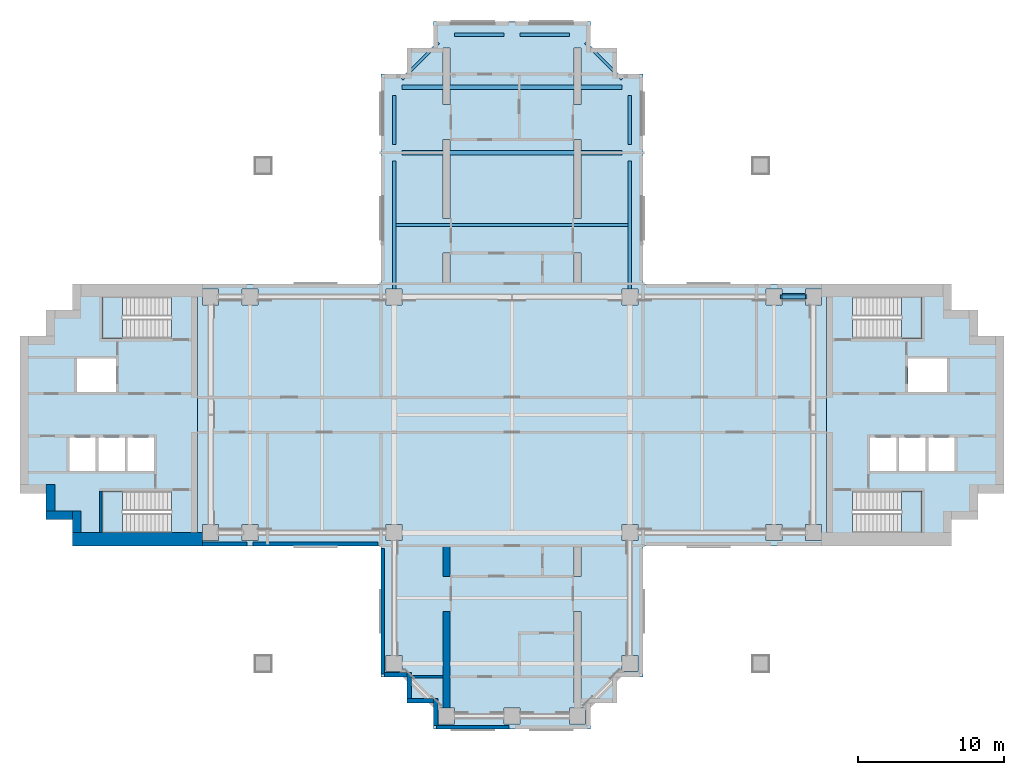
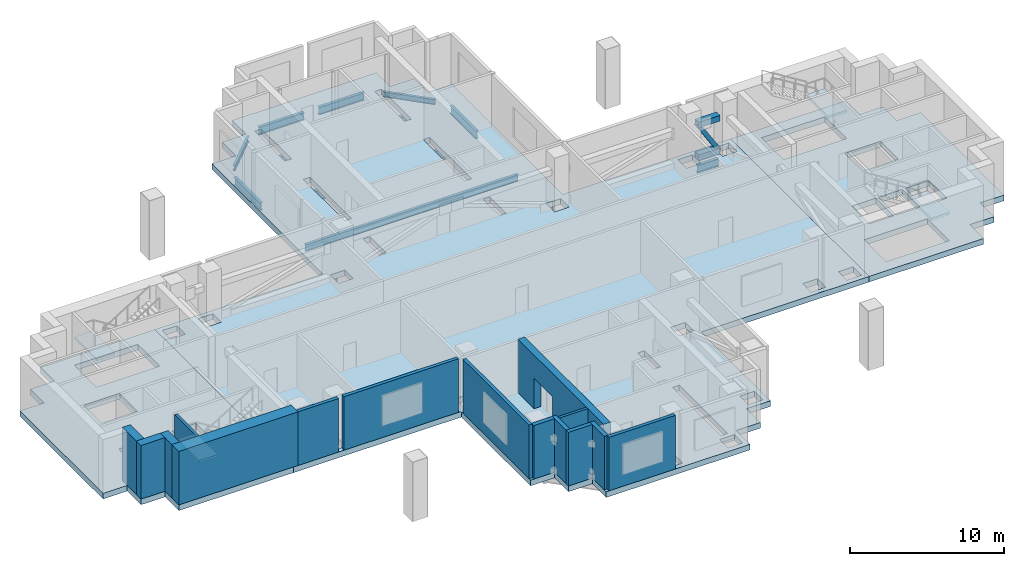
# One storey, part 4 of 11: 15 walls, 12 beams, 7 slabs, 3 members, 4 elements without a shape of their own.
"""IFC4 building model written with IfcOpenShell, lengths in metres."""

from ifc_helpers import new_model, si_unit, direction, frame, frame_2d, origin, origin_2d, place, context, subcontext, project, spatial, polyline, rectangle, hollow_rectangle, i_section, outline, extrude, material, layer, layer_set, material_profile, profile_set, type_object, element, aggregate, save


model = new_model("IFC4")

# Units and contexts
model_context = context("Model", 3, precision=1e-05, world=origin(), true_north=direction((0.0, 1.0)))
body_context = subcontext(model_context, "Body", "Model", "MODEL_VIEW")
ifc_project = project(units=[si_unit("LENGTHUNIT", "METRE"), si_unit("AREAUNIT", "SQUARE_METRE"), si_unit("VOLUMEUNIT", "CUBIC_METRE"), si_unit("PLANEANGLEUNIT", "RADIAN"), si_unit("MASSUNIT", "GRAM", prefix="KILO")], contexts=[model_context])

# Site, building, storey
site_placement = place(None, origin())
site = spatial("IfcSite", under=ifc_project, at=site_placement, CompositionType="ELEMENT")
building_placement = place(site_placement, origin())
building = spatial("IfcBuilding", under=site, at=building_placement, Name="Perihelion Cross Residences", CompositionType="ELEMENT")
storey_placement = place(building_placement, frame((0.0, 0.0, 162.10009765625)))
storey = spatial("IfcBuildingStorey", under=building, at=storey_placement, Name="L39", CompositionType="ELEMENT", Elevation=162.10009765625)

# Members
ifc_material_1 = material(Name="Steel S355", Category="steel")
ifc_material_profile_1 = material_profile(ifc_material_1, hollow_rectangle(XDim=0.45703125, YDim=0.45703125, WallThickness=0.01904296875, at=origin_2d()), Name="HSS457.2x457.2x19")
ifc_profile_set_1 = profile_set([ifc_material_profile_1], Name="Steel S355")
member_type_1 = type_object("IfcMemberType", Name="Belt truss chord HSS457.2x457.2x19", PredefinedType="CHORD", material=ifc_profile_set_1)
for number, where, z_axis, x_axis, name in (
    (1, (20.14990234375, 8.10009765625, 2.8212890625), (-1.0, 0.0, 0.0), (0.0, -1.0, 0.0), "Belt truss BT3 L39 top no. 13"),
    (2, (20.14990234375, 8.10009765625, 0.228515625), (-1.0, 0.0, 0.0), (0.0, -1.0, 0.0), "Belt truss BT3 L39 bottom no. 11"),
):
    element("IfcMember", number, at=place(storey_placement, frame(where, z_axis=z_axis, x_axis=x_axis)), inside=storey, type_object=member_type_1, Name=name, PredefinedType="CHORD", context=body_context, shape_type="SweptSolid", body=[
        extrude(hollow_rectangle(XDim=0.45703125, YDim=0.45703125, WallThickness=0.01904296875, at=origin_2d()), origin(), (0.0, 0.0, 1.0), 1.599853515625),
    ])
ifc_material_2 = material(Name="Steel S355", Category="steel")
ifc_material_profile_2 = material_profile(ifc_material_2, hollow_rectangle(XDim=0.304931640625, YDim=0.304931640625, WallThickness=0.0126953125, at=origin_2d()), Name="HSS304.8x304.8x12.7")
ifc_profile_set_2 = profile_set([ifc_material_profile_2], Name="Steel S355")
member_type_2 = type_object("IfcMemberType", Name="Belt truss diagonal HSS304.8x304.8x12.7", PredefinedType="BRACE", material=ifc_profile_set_2)
member_placement = place(storey_placement, frame((20.14990234375, 8.10009765625, 0.228515625), z_axis=(-0.525120910422, 0.0, 0.851027631418), x_axis=(0.0, -1.0, 0.0)))
element("IfcMember", 3, at=member_placement, inside=storey, type_object=member_type_2, Name="Belt truss BT4 L39 diagonal no. 11", PredefinedType="BRACE", context=body_context, shape_type="SweptSolid", body=[
    extrude(hollow_rectangle(XDim=0.304931640625, YDim=0.304931640625, WallThickness=0.0126953125, at=origin_2d()), origin(), (0.0, 0.0, 1.0), 3.046630859375),
])

# Beams
ifc_material_3 = material(Name="Steel S355", Category="steel")
ifc_material_profile_3 = material_profile(ifc_material_3, i_section(OverallWidth=0.22900390625, OverallDepth=0.612060546875, WebThickness=0.011962890625, FlangeThickness=0.01953125, at=origin_2d()), Name="W610x125")
ifc_profile_set_3 = profile_set([ifc_material_profile_3], Name="Steel S355")
beam_type_1 = type_object("IfcBeamType", Name="Edge beam W610x125", PredefinedType="SPANDREL", material=ifc_profile_set_3)
beam_1_placement = place(storey_placement, frame((20.14990234375, 8.10009765625, -0.756103515625), z_axis=(-1.0, 0.0, 0.0), x_axis=(0.0, -1.0, 0.0)))
element("IfcBeam", 4, at=beam_1_placement, inside=storey, type_object=beam_type_1, Name="Edge beam SB3 L39 no. 13", PredefinedType="SPANDREL", context=body_context, shape_type="SweptSolid", body=[
    extrude(i_section(OverallWidth=0.22900390625, OverallDepth=0.612060546875, WebThickness=0.011962890625, FlangeThickness=0.01953125, at=origin_2d()), origin(), (0.0, 0.0, 1.0), 1.599853515625),
])
beam_2_placement = place(storey_placement, frame((8.10009765625, 8.64990234375, -0.756103515625), z_axis=(0.0, 1.0, 0.0), x_axis=(-1.0, 0.0, 0.0)))
element("IfcBeam", 5, at=beam_2_placement, inside=storey, type_object=beam_type_1, Name="Edge beam SB3 L39 no. 18", PredefinedType="SPANDREL", context=body_context, shape_type="SweptSolid", body=[
    extrude(i_section(OverallWidth=0.22900390625, OverallDepth=0.612060546875, WebThickness=0.011962890625, FlangeThickness=0.01953125, at=origin_2d()), origin(), (0.0, 0.0, 1.0), 8.800048828125),
])
for number, where, z_axis, x_axis, name in (
    (6, (8.10009765625, 18.550048828125, -0.756103515625), (0.0, 1.0, 0.0), (-1.0, 0.0, 0.0), "Edge beam SB3 L39 no. 17"),
    (7, (3.949951171875, 26.10009765625, -0.756103515625), (-1.0, 0.0, 0.0), (0.0, -1.0, 0.0), "Edge beam SB3 L39 no. 14"),
    (8, (-0.550048828125, 26.10009765625, -0.756103515625), (-1.0, 0.0, 0.0), (0.0, -1.0, 0.0), "Edge beam SB3 L39 no. 10"),
    (9, (-8.10009765625, 21.949951171875, -0.756103515625), (0.0, -1.0, 0.0), (1.0, 0.0, 0.0), "Edge beam SB3 L39 no. 7"),
):
    element("IfcBeam", number, at=place(storey_placement, frame(where, z_axis=z_axis, x_axis=x_axis)), inside=storey, type_object=beam_type_1, Name=name, PredefinedType="SPANDREL", context=body_context, shape_type="SweptSolid", body=[
        extrude(i_section(OverallWidth=0.22900390625, OverallDepth=0.612060546875, WebThickness=0.011962890625, FlangeThickness=0.01953125, at=origin_2d()), origin(), (0.0, 0.0, 1.0), 3.39990234375),
    ])
beam_3_placement = place(storey_placement, frame((-8.10009765625, 17.449951171875, -0.756103515625), z_axis=(0.0, -1.0, 0.0), x_axis=(1.0, 0.0, 0.0)))
element("IfcBeam", 10, at=beam_3_placement, inside=storey, type_object=beam_type_1, Name="Edge beam SB3 L39 no. 6", PredefinedType="SPANDREL", context=body_context, shape_type="SweptSolid", body=[
    extrude(i_section(OverallWidth=0.22900390625, OverallDepth=0.612060546875, WebThickness=0.011962890625, FlangeThickness=0.01953125, at=origin_2d()), origin(), (0.0, 0.0, 1.0), 8.800048828125),
])
ifc_material_4 = material(Name="Steel S355", Category="steel")
ifc_material_profile_4 = material_profile(ifc_material_4, i_section(OverallWidth=0.2919921875, OverallDepth=0.8359375, WebThickness=0.013916015625, FlangeThickness=0.018798828125, at=origin_2d()), Name="W840x176")
ifc_profile_set_4 = profile_set([ifc_material_profile_4], Name="Steel S355")
beam_type_2 = type_object("IfcBeamType", Name="Floor girder W840x176", PredefinedType="BEAM", material=ifc_profile_set_4)
for number, where, z_axis, x_axis, name in (
    (11, (-7.550048828125, 18.0, -0.8681640625), (1.0, 0.0, 0.0), (0.0, 1.0, 0.0), "Girder G3 L39 no. 4"),
    (12, (-7.550048828125, 22.5, -0.8681640625), (1.0, 0.0, 0.0), (0.0, 1.0, 0.0), "Girder G3 L39 no. 5"),
):
    element("IfcBeam", number, at=place(storey_placement, frame(where, z_axis=z_axis, x_axis=x_axis)), inside=storey, type_object=beam_type_2, Name=name, PredefinedType="BEAM", context=body_context, shape_type="SweptSolid", body=[
        extrude(i_section(OverallWidth=0.2919921875, OverallDepth=0.8359375, WebThickness=0.013916015625, FlangeThickness=0.018798828125, at=origin_2d()), origin(), (0.0, 0.0, 1.0), 15.10009765625),
    ])
ifc_material_5 = material(Name="Steel S355", Category="steel")
ifc_material_profile_5 = material_profile(ifc_material_5, i_section(OverallWidth=0.208984375, OverallDepth=0.532958984375, WebThickness=0.01025390625, FlangeThickness=0.015625, at=origin_2d()), Name="W530x92")
ifc_profile_set_5 = profile_set([ifc_material_profile_5], Name="Steel S355")
beam_type_3 = type_object("IfcBeamType", Name="Floor joist W530x92", PredefinedType="JOIST", material=ifc_profile_set_5)
beam_4_placement = place(storey_placement, frame((-7.985595703125, 13.050048828125, -0.716552734375), z_axis=(1.0, 0.0, 0.0), x_axis=(0.0, 1.0, 0.0)))
element("IfcBeam", 13, at=beam_4_placement, inside=storey, type_object=beam_type_3, Name="Joist J4 L39 no. 4", PredefinedType="JOIST", context=body_context, shape_type="SweptSolid", body=[
    extrude(i_section(OverallWidth=0.208984375, OverallDepth=0.532958984375, WebThickness=0.01025390625, FlangeThickness=0.015625, at=origin_2d()), origin(), (0.0, 0.0, 1.0), 15.97119140625),
])
ifc_material_6 = material(Name="Steel S355", Category="steel")
ifc_material_profile_6 = material_profile(ifc_material_6, i_section(OverallWidth=0.180908203125, OverallDepth=0.4169921875, WebThickness=0.010986328125, FlangeThickness=0.018310546875, at=origin_2d()), Name="W410x85")
ifc_profile_set_6 = profile_set([ifc_material_profile_6], Name="Steel S355")
beam_type_4 = type_object("IfcBeamType", Name="Serration edge beam W410x85", PredefinedType="BEAM", material=ifc_profile_set_6)
for number, where, z_axis, x_axis, name in (
    (14, (7.550048828125, 23.050048828125, -0.65869140625), (-0.707106781187, 0.707106781187, 0.0), (-0.707106781187, -0.707106781187, 0.0), "Serration edge beam EB3 L39 no. 4"),
    (15, (-5.050048828125, 25.550048828125, -0.65869140625), (-0.707106781187, -0.707106781187, 0.0), (0.707106781187, -0.707106781187, 0.0), "Serration edge beam EB3 L39 no. 1"),
):
    element("IfcBeam", number, at=place(storey_placement, frame(where, z_axis=z_axis, x_axis=x_axis)), inside=storey, type_object=beam_type_4, Name=name, PredefinedType="BEAM", context=body_context, shape_type="SweptSolid", body=[
        extrude(i_section(OverallWidth=0.180908203125, OverallDepth=0.4169921875, WebThickness=0.010986328125, FlangeThickness=0.018310546875, at=origin_2d()), origin(), (0.0, 0.0, 1.0), 3.53564453125),
    ])

# Slabs
ifc_material_7 = material(Name="Concrete C40/50", Category="concrete")
ifc_layer_1 = layer(ifc_material_7, 0.449951171875)
ifc_layer_set_1 = layer_set([ifc_layer_1], Name="Core floor slab 450")
slab_type_1 = type_object("IfcSlabType", Name="Core floor slab 450", PredefinedType="FLOOR", material=ifc_layer_set_1)
slab_1_placement = place(storey_placement, frame((0.0, 0.0, -0.4501953125)))
element("IfcSlab", 16, at=slab_1_placement, inside=storey, type_object=slab_type_1, Name="East core floor slab", PredefinedType="FLOOR", context=body_context, shape_type="SweptSolid", body=[
    extrude(outline(polyline([(30.199951171875, 7.199951171875), (32.0, 7.199951171875), (32.0, 5.39990234375), (33.800048828125, 5.39990234375), (33.800048828125, -5.39990234375), (32.0, -5.39990234375), (32.0, -7.199951171875), (30.199951171875, -7.199951171875), (30.199951171875, -9.0), (21.60009765625, -9.0), (21.60009765625, 9.0), (30.199951171875, 9.0), (30.199951171875, 7.199951171875)]), holes=[polyline([(28.14990234375, -8.10009765625), (28.14990234375, -5.25), (23.405029296875, -5.25), (23.405029296875, -8.10009765625), (28.14990234375, -8.10009765625)]), polyline([(24.60009765625, -1.550048828125), (24.60009765625, -3.85009765625), (26.39990234375, -3.85009765625), (26.39990234375, -1.550048828125), (24.60009765625, -1.550048828125)]), polyline([(26.60009765625, -1.550048828125), (26.60009765625, -3.85009765625), (28.39990234375, -3.85009765625), (28.39990234375, -1.550048828125), (26.60009765625, -1.550048828125)]), polyline([(28.60009765625, -3.85009765625), (30.39990234375, -3.85009765625), (30.39990234375, -1.550048828125), (28.60009765625, -1.550048828125), (28.60009765625, -3.85009765625)]), polyline([(27.199951171875, 3.85009765625), (27.199951171875, 1.550048828125), (29.89990234375, 1.550048828125), (29.89990234375, 3.85009765625), (27.199951171875, 3.85009765625)]), polyline([(23.405029296875, 5.25), (28.14990234375, 5.25), (28.14990234375, 8.10009765625), (23.405029296875, 8.10009765625), (23.405029296875, 5.25)])]), origin(), (0.0, 0.0, 1.0), 0.4501953125),
])
slab_2_placement = place(storey_placement, frame((0.0, 0.0, -0.4501953125)))
element("IfcSlab", 17, at=slab_2_placement, inside=storey, type_object=slab_type_1, Name="West core floor slab", PredefinedType="FLOOR", context=body_context, shape_type="SweptSolid", body=[
    extrude(outline(polyline([(-30.199951171875, 7.199951171875), (-32.0, 7.199951171875), (-32.0, 5.39990234375), (-33.800048828125, 5.39990234375), (-33.800048828125, -5.39990234375), (-32.0, -5.39990234375), (-32.0, -7.199951171875), (-30.199951171875, -7.199951171875), (-30.199951171875, -9.0), (-21.60009765625, -9.0), (-21.60009765625, 9.0), (-30.199951171875, 9.0), (-30.199951171875, 7.199951171875)]), holes=[polyline([(-28.14990234375, -8.10009765625), (-28.14990234375, -5.25), (-23.405029296875, -5.25), (-23.405029296875, -8.10009765625), (-28.14990234375, -8.10009765625)]), polyline([(-24.60009765625, -1.550048828125), (-24.60009765625, -3.85009765625), (-26.39990234375, -3.85009765625), (-26.39990234375, -1.550048828125), (-24.60009765625, -1.550048828125)]), polyline([(-26.60009765625, -1.550048828125), (-26.60009765625, -3.85009765625), (-28.39990234375, -3.85009765625), (-28.39990234375, -1.550048828125), (-26.60009765625, -1.550048828125)]), polyline([(-28.60009765625, -3.85009765625), (-30.39990234375, -3.85009765625), (-30.39990234375, -1.550048828125), (-28.60009765625, -1.550048828125), (-28.60009765625, -3.85009765625)]), polyline([(-27.199951171875, 3.85009765625), (-27.199951171875, 1.550048828125), (-29.89990234375, 1.550048828125), (-29.89990234375, 3.85009765625), (-27.199951171875, 3.85009765625)]), polyline([(-23.405029296875, 5.25), (-28.14990234375, 5.25), (-28.14990234375, 8.10009765625), (-23.405029296875, 8.10009765625), (-23.405029296875, 5.25)])]), origin(), (0.0, 0.0, 1.0), 0.4501953125),
])

# Stair, slab
ifc_material_8 = material(Name="Concrete C40/50", Category="concrete")
stair_type = type_object("IfcStairType", Name="Exit stair, half-turn", PredefinedType="HALF_TURN_STAIR", material=ifc_material_8)
stair_1_placement = place(storey_placement, origin())
stair_1 = element("IfcStair", 18, at=stair_1_placement, inside=storey, type_object=stair_type, Name="L39 East core exit stair 1", PredefinedType="HALF_TURN_STAIR")
ifc_material_9 = material(Name="Concrete C40/50", Category="concrete")
ifc_layer_2 = layer(ifc_material_9, 0.199951171875)
ifc_layer_set_2 = layer_set([ifc_layer_2], Name="Exit stair landing 200")
slab_type_2 = type_object("IfcSlabType", Name="Exit stair landing 200", PredefinedType="LANDING", material=ifc_layer_set_2)
slab_3_placement = place(storey_placement, frame((0.0, 0.0, 2.0498046875)))
slab_3 = element("IfcSlab", 19, at=slab_3_placement, type_object=slab_type_2, Name="ST-E1 landing 1", PredefinedType="LANDING", context=body_context, shape_type="SweptSolid", body=[
    extrude(outline(polyline([(26.760009765625, 5.25), (28.14990234375, 5.25), (28.14990234375, 8.10009765625), (26.760009765625, 8.10009765625), (26.760009765625, 5.25)])), origin(), (0.0, 0.0, 1.0), 0.2001953125),
])
aggregate(stair_1, [slab_3])

stair_2_placement = place(storey_placement, origin())
stair_2 = element("IfcStair", 20, at=stair_2_placement, inside=storey, type_object=stair_type, Name="L39 East core exit stair 2", PredefinedType="HALF_TURN_STAIR")
slab_4_placement = place(storey_placement, frame((0.0, 0.0, 2.0498046875)))
slab_4 = element("IfcSlab", 21, at=slab_4_placement, type_object=slab_type_2, Name="ST-E2 landing 1", PredefinedType="LANDING", context=body_context, shape_type="SweptSolid", body=[
    extrude(outline(polyline([(26.760009765625, -8.10009765625), (28.14990234375, -8.10009765625), (28.14990234375, -5.25), (26.760009765625, -5.25), (26.760009765625, -8.10009765625)])), origin(), (0.0, 0.0, 1.0), 0.2001953125),
])
aggregate(stair_2, [slab_4])

stair_3_placement = place(storey_placement, origin())
stair_3 = element("IfcStair", 22, at=stair_3_placement, inside=storey, type_object=stair_type, Name="L39 West core exit stair 1", PredefinedType="HALF_TURN_STAIR")
slab_5_placement = place(storey_placement, frame((0.0, 0.0, 2.0498046875)))
slab_5 = element("IfcSlab", 23, at=slab_5_placement, type_object=slab_type_2, Name="ST-W1 landing 1", PredefinedType="LANDING", context=body_context, shape_type="SweptSolid", body=[
    extrude(outline(polyline([(-26.760009765625, 8.10009765625), (-28.14990234375, 8.10009765625), (-28.14990234375, 5.25), (-26.760009765625, 5.25), (-26.760009765625, 8.10009765625)])), origin(), (0.0, 0.0, 1.0), 0.2001953125),
])
aggregate(stair_3, [slab_5])

stair_4_placement = place(storey_placement, origin())
stair_4 = element("IfcStair", 24, at=stair_4_placement, inside=storey, type_object=stair_type, Name="L39 West core exit stair 2", PredefinedType="HALF_TURN_STAIR")
slab_6_placement = place(storey_placement, frame((0.0, 0.0, 2.0498046875)))
slab_6 = element("IfcSlab", 25, at=slab_6_placement, type_object=slab_type_2, Name="ST-W2 landing 1", PredefinedType="LANDING", context=body_context, shape_type="SweptSolid", body=[
    extrude(outline(polyline([(-26.760009765625, -5.25), (-28.14990234375, -5.25), (-28.14990234375, -8.10009765625), (-26.760009765625, -8.10009765625), (-26.760009765625, -5.25)])), origin(), (0.0, 0.0, 1.0), 0.2001953125),
])
aggregate(stair_4, [slab_6])

# Slab
ifc_material_10 = material(Name="Concrete C50/60", Category="concrete")
ifc_layer_3 = layer(ifc_material_10, 0.449951171875)
ifc_layer_set_3 = layer_set([ifc_layer_3], Name="Refuge floor post-tensioned slab concrete C50/60")
slab_type_3 = type_object("IfcSlabType", Name="Refuge floor post-tensioned slab concrete C50/60", PredefinedType="FLOOR", material=ifc_layer_set_3)
slab_7_placement = place(storey_placement, frame((0.0, 0.0, -0.4501953125)))
element("IfcSlab", 26, at=slab_7_placement, inside=storey, type_object=slab_type_3, Name="Slab SL10 L39 1 no. 1", PredefinedType="FLOOR", context=body_context, shape_type="SweptSolid", body=[
    extrude(outline(polyline([(-9.0, 9.0), (-9.0, 23.39990234375), (-7.199951171875, 23.39990234375), (-7.199951171875, 25.199951171875), (-5.39990234375, 25.199951171875), (-5.39990234375, 27.0), (5.39990234375, 27.0), (5.39990234375, 25.199951171875), (7.199951171875, 25.199951171875), (7.199951171875, 23.39990234375), (9.0, 23.39990234375), (9.0, 9.0), (21.60009765625, 9.0), (21.60009765625, -9.0), (9.0, -9.0), (9.0, -18.0), (7.199951171875, -18.0), (7.199951171875, -19.800048828125), (5.39990234375, -19.800048828125), (5.39990234375, -21.60009765625), (-5.39990234375, -21.60009765625), (-5.39990234375, -19.800048828125), (-7.199951171875, -19.800048828125), (-7.199951171875, -18.0), (-9.0, -18.0), (-9.0, -9.0), (-21.60009765625, -9.0), (-21.60009765625, 9.0), (-9.0, 9.0)]), holes=[polyline([(-3.949951171875, -20.14990234375), (-5.050048828125, -20.14990234375), (-5.050048828125, -21.25), (-3.949951171875, -21.25), (-3.949951171875, -20.14990234375)]), polyline([(0.550048828125, -21.25), (0.550048828125, -20.14990234375), (-0.550048828125, -20.14990234375), (-0.550048828125, -21.25), (0.550048828125, -21.25)]), polyline([(-7.550048828125, -17.64990234375), (-7.550048828125, -16.550048828125), (-8.64990234375, -16.550048828125), (-8.64990234375, -17.64990234375), (-7.550048828125, -17.64990234375)]), polyline([(-4.25, -19.800048828125), (-4.25, -13.5), (-4.75, -13.5), (-4.75, -19.800048828125), (-4.25, -19.800048828125)]), polyline([(-4.25, -11.10009765625), (-4.25, -9.0), (-4.75, -9.0), (-4.75, -11.10009765625), (-4.25, -11.10009765625)]), polyline([(-20.14990234375, -8.64990234375), (-20.14990234375, -7.550048828125), (-21.25, -7.550048828125), (-21.25, -8.64990234375), (-20.14990234375, -8.64990234375)]), polyline([(-17.449951171875, -8.64990234375), (-17.449951171875, -7.550048828125), (-18.550048828125, -7.550048828125), (-18.550048828125, -8.64990234375), (-17.449951171875, -8.64990234375)]), polyline([(-7.550048828125, -7.550048828125), (-8.64990234375, -7.550048828125), (-8.64990234375, -8.64990234375), (-7.550048828125, -8.64990234375), (-7.550048828125, -7.550048828125)]), polyline([(-20.14990234375, 7.550048828125), (-20.14990234375, 8.64990234375), (-21.25, 8.64990234375), (-21.25, 7.550048828125), (-20.14990234375, 7.550048828125)]), polyline([(-17.449951171875, 7.550048828125), (-17.449951171875, 8.64990234375), (-18.550048828125, 8.64990234375), (-18.550048828125, 7.550048828125), (-17.449951171875, 7.550048828125)]), polyline([(-7.550048828125, 7.550048828125), (-7.550048828125, 8.64990234375), (-8.64990234375, 8.64990234375), (-8.64990234375, 7.550048828125), (-7.550048828125, 7.550048828125)]), polyline([(-4.25, 9.0), (-4.25, 11.10009765625), (-4.75, 11.10009765625), (-4.75, 9.0), (-4.25, 9.0)]), polyline([(-4.25, 13.5), (-4.25, 18.89990234375), (-4.75, 18.89990234375), (-4.75, 13.5), (-4.25, 13.5)]), polyline([(-4.25, 25.199951171875), (-4.75, 25.199951171875), (-4.75, 21.300048828125), (-4.25, 21.300048828125), (-4.25, 25.199951171875)]), polyline([(5.050048828125, -21.25), (5.050048828125, -20.14990234375), (3.949951171875, -20.14990234375), (3.949951171875, -21.25), (5.050048828125, -21.25)]), polyline([(8.64990234375, -17.64990234375), (8.64990234375, -16.550048828125), (7.550048828125, -16.550048828125), (7.550048828125, -17.64990234375), (8.64990234375, -17.64990234375)]), polyline([(4.75, -19.800048828125), (4.75, -13.5), (4.25, -13.5), (4.25, -19.800048828125), (4.75, -19.800048828125)]), polyline([(4.75, -11.10009765625), (4.75, -9.0), (4.25, -9.0), (4.25, -11.10009765625), (4.75, -11.10009765625)]), polyline([(8.64990234375, -8.64990234375), (8.64990234375, -7.550048828125), (7.550048828125, -7.550048828125), (7.550048828125, -8.64990234375), (8.64990234375, -8.64990234375)]), polyline([(18.550048828125, -8.64990234375), (18.550048828125, -7.550048828125), (17.449951171875, -7.550048828125), (17.449951171875, -8.64990234375), (18.550048828125, -8.64990234375)]), polyline([(21.25, -8.64990234375), (21.25, -7.550048828125), (20.14990234375, -7.550048828125), (20.14990234375, -8.64990234375), (21.25, -8.64990234375)]), polyline([(8.64990234375, 7.550048828125), (8.64990234375, 8.64990234375), (7.550048828125, 8.64990234375), (7.550048828125, 7.550048828125), (8.64990234375, 7.550048828125)]), polyline([(18.550048828125, 7.550048828125), (18.550048828125, 8.64990234375), (17.449951171875, 8.64990234375), (17.449951171875, 7.550048828125), (18.550048828125, 7.550048828125)]), polyline([(21.25, 7.550048828125), (21.25, 8.64990234375), (20.14990234375, 8.64990234375), (20.14990234375, 7.550048828125), (21.25, 7.550048828125)]), polyline([(4.75, 9.0), (4.75, 11.10009765625), (4.25, 11.10009765625), (4.25, 9.0), (4.75, 9.0)]), polyline([(4.75, 13.5), (4.75, 18.89990234375), (4.25, 18.89990234375), (4.25, 13.5), (4.75, 13.5)]), polyline([(4.75, 21.300048828125), (4.75, 25.199951171875), (4.25, 25.199951171875), (4.25, 21.300048828125), (4.75, 21.300048828125)])]), origin(), (0.0, 0.0, 1.0), 0.4501953125),
])

# Walls
ifc_material_11 = material(Name="Plasterboard partition")
ifc_layer_4 = layer(ifc_material_11, 0.199951171875)
ifc_layer_set_4 = layer_set([ifc_layer_4], Name="Apartment riser wall 200")
wall_type_1 = type_object("IfcWallType", Name="Apartment riser wall 200", PredefinedType="PARTITIONING", material=ifc_layer_set_4)
wall_1_placement = place(storey_placement, frame((-4.75, -18.0, 0.0), z_axis=(0.0, 0.0, 1.0), x_axis=(-1.0, 0.0, 0.0)))
element("IfcWall", 27, at=wall_1_placement, inside=storey, type_object=wall_type_1, Name="Partition L39 W028", PredefinedType="PARTITIONING", context=body_context, shape_type="SweptSolid", body=[
    extrude(rectangle(XDim=2.14990234375, YDim=0.199951171875, at=frame_2d((1.074951171875, 0.0))), origin(), (0.0, 0.0, 1.0), 4.25),
])
ifc_material_12 = material(Name="Concrete C30/37, bronze-clad", Category="concrete")
ifc_layer_5 = layer(ifc_material_12, 0.300048828125)
ifc_layer_set_5 = layer_set([ifc_layer_5], Name="Bronze-clad serration wall 300")
wall_type_2 = type_object("IfcWallType", Name="Bronze-clad serration wall 300", PredefinedType="SOLIDWALL", material=ifc_layer_set_5)
wall_2_placement = place(storey_placement, frame((-8.75, -17.85009765625, 0.0), z_axis=(0.0, 0.0, 1.0), x_axis=(1.0, 0.0, 0.0)))
element("IfcWall", 28, at=wall_2_placement, inside=storey, type_object=wall_type_2, Name="Wall SR1 L39 south corner south-west 1", PredefinedType="SOLIDWALL", context=body_context, shape_type="SweptSolid", body=[
    extrude(rectangle(XDim=1.550048828125, YDim=0.300048828125, at=frame_2d((0.77490234375, 0.0))), origin(), (0.0, 0.0, 1.0), 4.25),
])
for number, where, z_axis, x_axis, name in (
    (29, (-7.050048828125, -17.699951171875, 0.0), (0.0, 0.0, 1.0), (0.0, -1.0, 0.0), "Wall SR1 L39 south corner south-west 2"),
    (30, (-7.199951171875, -19.64990234375, 0.0), (0.0, 0.0, 1.0), (1.0, 0.0, 0.0), "Wall SR1 L39 south corner south-west 3"),
):
    element("IfcWall", number, at=place(storey_placement, frame(where, z_axis=z_axis, x_axis=x_axis)), inside=storey, type_object=wall_type_2, Name=name, PredefinedType="SOLIDWALL", context=body_context, shape_type="SweptSolid", body=[
        extrude(rectangle(XDim=1.800048828125, YDim=0.300048828125, at=frame_2d((0.89990234375, 0.0))), origin(), (0.0, 0.0, 1.0), 4.25),
    ])
wall_3_placement = place(storey_placement, frame((-5.25, -19.5, 0.0), z_axis=(0.0, 0.0, 1.0), x_axis=(0.0, -1.0, 0.0)))
element("IfcWall", 31, at=wall_3_placement, inside=storey, type_object=wall_type_2, Name="Wall SR1 L39 south corner south-west 4", PredefinedType="SOLIDWALL", context=body_context, shape_type="SweptSolid", body=[
    extrude(rectangle(XDim=1.85009765625, YDim=0.300048828125, at=frame_2d((0.925048828125, 0.0))), origin(), (0.0, 0.0, 1.0), 4.25),
])
ifc_material_13 = material(Name="Concrete C60/75", Category="concrete")
ifc_layer_6 = layer(ifc_material_13, 0.60009765625)
ifc_layer_set_6 = layer_set([ifc_layer_6], Name="Core wall, outer 600")
wall_type_3 = type_object("IfcWallType", Name="Core wall, outer 600", PredefinedType="SHEAR", material=ifc_layer_set_6)
wall_4_placement = place(storey_placement, frame((-29.89990234375, -8.10009765625, 0.0), z_axis=(0.0, 0.0, 1.0), x_axis=(0.0, 1.0, 0.0)))
element("IfcWall", 32, at=wall_4_placement, inside=storey, type_object=wall_type_3, Name="West core core wall, outer", PredefinedType="SHEAR", context=body_context, shape_type="SweptSolid", body=[
    extrude(rectangle(XDim=1.5, YDim=0.60009765625, at=frame_2d((0.75, 0.0))), origin(), (0.0, 0.0, 1.0), 4.25),
])
for number, where, z_axis, x_axis, name in (
    (33, (-32.0, -6.89990234375, 0.0), (0.0, 0.0, 1.0), (1.0, 0.0, 0.0), "West core core wall, outer"),
    (34, (-31.699951171875, -6.60009765625, 0.0), (0.0, 0.0, 1.0), (0.0, 1.0, 0.0), "West core core wall, outer"),
):
    element("IfcWall", number, at=place(storey_placement, frame(where, z_axis=z_axis, x_axis=x_axis)), inside=storey, type_object=wall_type_3, Name=name, PredefinedType="SHEAR", context=body_context, shape_type="SweptSolid", body=[
        extrude(rectangle(XDim=1.800048828125, YDim=0.60009765625, at=frame_2d((0.89990234375, 0.0))), origin(), (0.0, 0.0, 1.0), 4.25),
    ])
ifc_material_14 = material(Name="Concrete C60/75", Category="concrete")
ifc_layer_7 = layer(ifc_material_14, 0.89990234375)
ifc_layer_set_7 = layer_set([ifc_layer_7], Name="Core wall, outer 900")
wall_type_4 = type_object("IfcWallType", Name="Core wall, outer 900", PredefinedType="SHEAR", material=ifc_layer_set_7)
wall_5_placement = place(storey_placement, frame((-30.199951171875, -8.550048828125, 0.0), z_axis=(0.0, 0.0, 1.0), x_axis=(1.0, 0.0, 0.0)))
element("IfcWall", 35, at=wall_5_placement, inside=storey, type_object=wall_type_4, Name="West core core wall, outer", PredefinedType="SHEAR", context=body_context, shape_type="SweptSolid", body=[
    extrude(rectangle(XDim=8.949951171875, YDim=0.89990234375, at=frame_2d((4.47509765625, 0.0))), origin(), (0.0, 0.0, 1.0), 4.25),
])
ifc_material_15 = material(Name="Concrete C30/37, bronze-clad", Category="concrete")
ifc_layer_8 = layer(ifc_material_15, 0.25)
ifc_layer_set_8 = layer_set([ifc_layer_8], Name="Louvre bay wall 250")
wall_type_5 = type_object("IfcWallType", Name="Louvre bay wall 250", PredefinedType="SOLIDWALL", material=ifc_layer_set_8)
wall_6_placement = place(storey_placement, frame((-21.25, -8.875, 0.0), z_axis=(0.0, 0.0, 1.0), x_axis=(1.0, 0.0, 0.0)))
element("IfcWall", 36, at=wall_6_placement, inside=storey, type_object=wall_type_5, Name="Wall FW2 L39 west side south bay 1 louvre", PredefinedType="SOLIDWALL", context=body_context, shape_type="SweptSolid", body=[
    extrude(rectangle(XDim=3.050048828125, YDim=0.25, at=frame_2d((1.52490234375, 0.0))), origin(), (0.0, 0.0, 1.0), 4.25),
])
for number, where, z_axis, x_axis, name in (
    (37, (-17.800048828125, -8.875, 0.0), (0.0, 0.0, 1.0), (1.0, 0.0, 0.0), "Wall FW2 L39 west side south bay 2 louvre"),
    (38, (-8.875, -9.199951171875, 0.0), (0.0, 0.0, 1.0), (0.0, -1.0, 0.0), "Wall FW2 L39 south side west bay 1 louvre"),
):
    element("IfcWall", number, at=place(storey_placement, frame(where, z_axis=z_axis, x_axis=x_axis)), inside=storey, type_object=wall_type_5, Name=name, PredefinedType="SOLIDWALL", context=body_context, shape_type="SweptSolid", body=[
        extrude(rectangle(XDim=8.60009765625, YDim=0.25, at=frame_2d((4.300048828125, 0.0))), origin(), (0.0, 0.0, 1.0), 4.25),
    ])
wall_7_placement = place(storey_placement, frame((-5.199951171875, -21.47509765625, 0.0), z_axis=(0.0, 0.0, 1.0), x_axis=(1.0, 0.0, 0.0)))
element("IfcWall", 39, at=wall_7_placement, inside=storey, type_object=wall_type_5, Name="Wall FW2 L39 south tip south bay 1 louvre", PredefinedType="SOLIDWALL", context=body_context, shape_type="SweptSolid", body=[
    extrude(rectangle(XDim=5.0, YDim=0.25, at=frame_2d((2.5, 0.0))), origin(), (0.0, 0.0, 1.0), 4.25),
])
ifc_material_16 = material(Name="Concrete C50/60", Category="concrete")
ifc_layer_9 = layer(ifc_material_16, 0.199951171875)
ifc_layer_set_9 = layer_set([ifc_layer_9], Name="Stair wall 200")
wall_type_6 = type_object("IfcWallType", Name="Stair wall 200", PredefinedType="SOLIDWALL", material=ifc_layer_set_9)
wall_8_placement = place(storey_placement, frame((-28.25, -8.10009765625, 0.0), z_axis=(0.0, 0.0, 1.0), x_axis=(0.0, 1.0, 0.0)))
element("IfcWall", 40, at=wall_8_placement, inside=storey, type_object=wall_type_6, Name="West core stair wall", PredefinedType="SOLIDWALL", context=body_context, shape_type="SweptSolid", body=[
    extrude(rectangle(XDim=2.85009765625, YDim=0.199951171875, at=frame_2d((1.425048828125, 0.0))), origin(), (0.0, 0.0, 1.0), 4.25),
])
ifc_material_17 = material(Name="Concrete C60/75", Category="concrete")
ifc_material_profile_7 = material_profile(ifc_material_17, outline(polyline([(0.0, 0.0), (6.64990234375, 0.0), (6.64990234375, 2.85009765625), (9.050048828125, 2.85009765625), (9.050048828125, 0.0), (11.14990234375, 0.0), (11.14990234375, 4.699951171875), (0.0, 4.699951171875), (0.0, 0.0)])), Name="Tip spine wall")
ifc_profile_set_7 = profile_set([ifc_material_profile_7], Name="Concrete C60/75")
wall_type_7 = type_object("IfcWallType", Name="Tip spine wall 500 with 1 door openings 11150 long 4700 high concrete C60/75", PredefinedType="SHEAR", material=ifc_profile_set_7)
wall_9_placement = place(storey_placement, frame((-4.75, -20.14990234375, -0.4501953125), z_axis=(1.0, 0.0, 0.0), x_axis=(0.0, 1.0, 0.0)))
element("IfcWall", 41, at=wall_9_placement, inside=storey, type_object=wall_type_7, Name="Shear wall SW39 L39 south west", PredefinedType="SHEAR", context=body_context, shape_type="SweptSolid", body=[
    extrude(outline(polyline([(0.0, 0.0), (6.64990234375, 0.0), (6.64990234375, 2.85009765625), (9.050048828125, 2.85009765625), (9.050048828125, 0.0), (11.14990234375, 0.0), (11.14990234375, 4.699951171875), (0.0, 4.699951171875), (0.0, 0.0)])), origin(), (0.0, 0.0, 1.0), 0.5),
])

save(model, "model.ifc")
